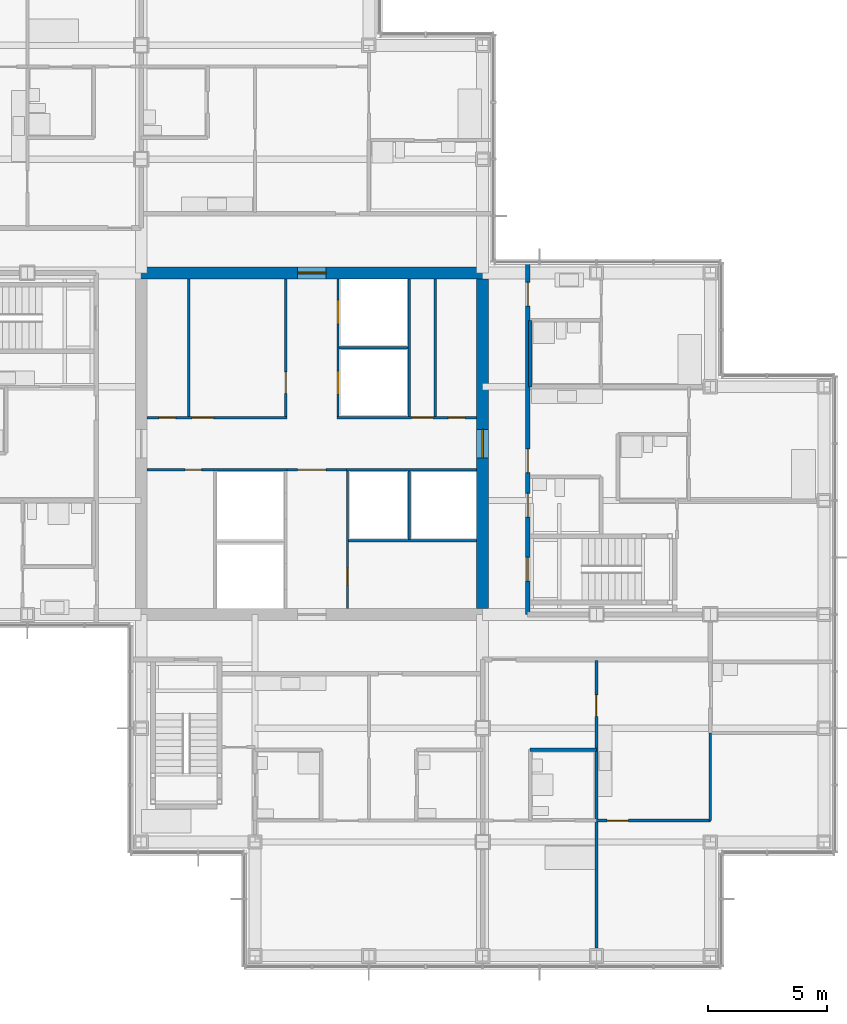
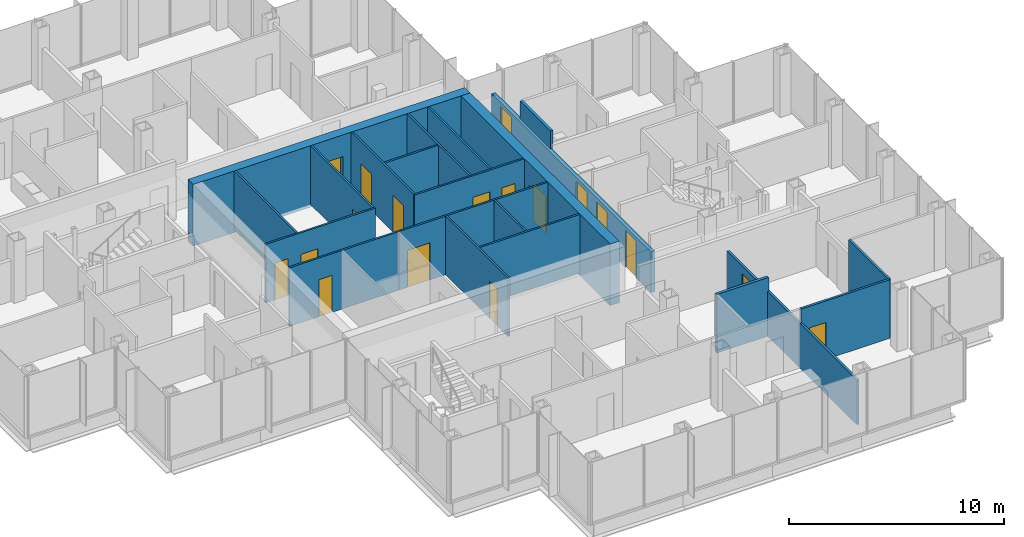
# One storey, part 14 of 19: 23 walls, 18 doors, 18 openings.
"""IFC4 building model written with IfcOpenShell, lengths in metres."""

from ifc_helpers import new_model, si_unit, direction, frame, frame_2d, origin, place, context, subcontext, project, spatial, rectangle, extrude, material, layer, layer_set, type_object, element, fill, save


model = new_model("IFC4")

# Units and contexts
model_context = context("Model", 3, precision=1e-05, world=origin(), true_north=direction((0.0, 1.0)))
body_context = subcontext(model_context, "Body", "Model", "MODEL_VIEW")
ifc_project = project(units=[si_unit("LENGTHUNIT", "METRE"), si_unit("AREAUNIT", "SQUARE_METRE"), si_unit("VOLUMEUNIT", "CUBIC_METRE"), si_unit("PLANEANGLEUNIT", "RADIAN"), si_unit("MASSUNIT", "GRAM", prefix="KILO")], contexts=[model_context])

# Site, building, storey
site_placement = place(None, origin())
site = spatial("IfcSite", under=ifc_project, at=site_placement, CompositionType="ELEMENT")
building_placement = place(site_placement, origin())
building = spatial("IfcBuilding", under=site, at=building_placement, Name="Kvirike Care Tower", CompositionType="ELEMENT")
storey_placement = place(building_placement, frame((0.0, 0.0, 129.5)))
storey = spatial("IfcBuildingStorey", under=building, at=storey_placement, Name="L35", CompositionType="ELEMENT", Elevation=129.5)

# Walls
ifc_material_1 = material(Name="Moisture-resistant board partition", Category="gypsum")
ifc_layer_1 = layer(ifc_material_1, 0.14990234375)
ifc_layer_set_1 = layer_set([ifc_layer_1], Name="BATHROOM WALL 150")
wall_type_1 = type_object("IfcWallType", Name="BATHROOM WALL 150", PredefinedType="PARTITIONING", material=ifc_layer_set_1)
for number, where, z_axis, x_axis, name in (
    (1, (30.800048828125, 23.10009765625, 0.0), (0.0, 0.0, 1.0), (1.0, 0.0, 0.0), "Bathroom Wall 150 L35"),
    (2, (30.800048828125, 38.39990234375, 0.0), (0.0, 0.0, 1.0), (0.0, 1.0, 0.0), "Bathroom Wall 150 L35"),
):
    element("IfcWall", number, at=place(storey_placement, frame(where, z_axis=z_axis, x_axis=x_axis)), inside=storey, type_object=wall_type_1, Name=name, PredefinedType="PARTITIONING", context=body_context, shape_type="SweptSolid", body=[
        extrude(rectangle(XDim=2.800048828125, YDim=0.14990234375, at=frame_2d((1.39990234375, 0.0))), origin(), (0.0, 0.0, 1.0), 3.330078125),
    ])

# Wall, opening, door
ifc_material_2 = material(Name="Concrete C50/60", Category="concrete")
ifc_layer_2 = layer(ifc_material_2, 0.5)
ifc_layer_set_2 = layer_set([ifc_layer_2], Name="CORE WALL 500 C50-60")
wall_type_2 = type_object("IfcWallType", Name="CORE WALL 500 C50-60", PredefinedType="SHEAR", material=ifc_layer_set_2)
wall_1_placement = place(storey_placement, frame((29.050048828125, 43.199951171875, -0.169921875), z_axis=(0.0, 0.0, 1.0), x_axis=(-1.0, 0.0, 0.0)))
wall_1 = element("IfcWall", 3, at=wall_1_placement, inside=storey, type_object=wall_type_2, Name="Core wall N L35", PredefinedType="SHEAR", context=body_context, shape_type="SweptSolid", body=[
    extrude(rectangle(XDim=14.900146484375, YDim=0.5, at=frame_2d((7.4501953125, 0.0))), origin(), (0.0, 0.0, 1.0), 3.5),
])
opening_1_placement = place(wall_1_placement, frame((6.85009765625, 0.0, 0.169921875)))
opening_1 = element("IfcOpeningElement", 4, at=opening_1_placement, cuts=wall_1, Name="Opening 35-059", PredefinedType="OPENING", context=body_context, shape_type="SweptSolid", body=[
    extrude(rectangle(XDim=1.199951171875, YDim=2.10009765625, at=frame_2d((0.60009765625, 1.050048828125))), frame((0.0, 0.260498046875, 0.0), z_axis=(0.0, -1.0, 0.0), x_axis=(1.0, 0.0, 0.0)), (0.0, 0.0, 1.0), 0.52099609375),
])
ifc_material_3 = material(Name="Timber door set", Category="wood")
door_type_1 = type_object("IfcDoorType", Name="CORE DOOR 1200", OperationType="SINGLE_SWING_LEFT", PredefinedType="DOOR", material=ifc_material_3)
door_1_placement = place(opening_1_placement, origin())
door_1 = element("IfcDoor", 5, at=door_1_placement, inside=storey, type_object=door_type_1, Name="Core door N L35", OperationType="SINGLE_SWING_LEFT", OverallHeight=2.10009765625, OverallWidth=1.199951171875, PredefinedType="DOOR", context=body_context, shape_type="SweptSolid", body=[
    extrude(rectangle(XDim=1.199951171875, YDim=2.10009765625, at=frame_2d((0.60009765625, 1.050048828125))), frame((0.0, 0.02685546875, 0.0), z_axis=(0.0, -1.0, 0.0), x_axis=(1.0, 0.0, 0.0)), (0.0, 0.0, 1.0), 0.053955078125),
])
fill(opening_1, door_1)

wall_2_placement = place(storey_placement, frame((28.800048828125, 29.050048828125, -0.169921875), z_axis=(0.0, 0.0, 1.0), x_axis=(0.0, 1.0, 0.0)))
wall_2 = element("IfcWall", 6, at=wall_2_placement, inside=storey, type_object=wall_type_2, Name="Core wall E L35", PredefinedType="SHEAR", context=body_context, shape_type="SweptSolid", body=[
    extrude(rectangle(XDim=13.89990234375, YDim=0.5, at=frame_2d((6.949951171875, 0.0))), origin(), (0.0, 0.0, 1.0), 3.5),
])
opening_2_placement = place(wall_2_placement, frame((6.35009765625, 0.0, 0.169921875)))
opening_2 = element("IfcOpeningElement", 7, at=opening_2_placement, cuts=wall_2, Name="Opening 35-058", PredefinedType="OPENING", context=body_context, shape_type="SweptSolid", body=[
    extrude(rectangle(XDim=1.199951171875, YDim=2.10009765625, at=frame_2d((0.60009765625, 1.050048828125))), frame((0.0, 0.260498046875, 0.0), z_axis=(0.0, -1.0, 0.0), x_axis=(1.0, 0.0, 0.0)), (0.0, 0.0, 1.0), 0.52099609375),
])
door_2_placement = place(opening_2_placement, origin())
door_2 = element("IfcDoor", 8, at=door_2_placement, inside=storey, type_object=door_type_1, Name="Core door E L35", OperationType="SINGLE_SWING_LEFT", OverallHeight=2.10009765625, OverallWidth=1.199951171875, PredefinedType="DOOR", context=body_context, shape_type="SweptSolid", body=[
    extrude(rectangle(XDim=1.199951171875, YDim=2.10009765625, at=frame_2d((0.60009765625, 1.050048828125))), frame((0.0, 0.02685546875, 0.0), z_axis=(0.0, -1.0, 0.0), x_axis=(1.0, 0.0, 0.0)), (0.0, 0.0, 1.0), 0.053955078125),
])
fill(opening_2, door_2)

# Wall, openings, doors
ifc_material_4 = material(Name="Plasterboard corridor wall", Category="gypsum")
ifc_layer_3 = layer(ifc_material_4, 0.199951171875)
ifc_layer_set_3 = layer_set([ifc_layer_3], Name="CORRIDOR WALL 200")
wall_type_3 = type_object("IfcWallType", Name="CORRIDOR WALL 200", PredefinedType="PARTITIONING", material=ifc_layer_set_3)
wall_3_placement = place(storey_placement, frame((30.699951171875, 28.800048828125, 0.0), z_axis=(0.0, 0.0, 1.0), x_axis=(0.0, 1.0, 0.0)))
wall_3 = element("IfcWall", 9, at=wall_3_placement, inside=storey, type_object=wall_type_3, Name="Corridor Wall 200 L35", PredefinedType="PARTITIONING", context=body_context, shape_type="SweptSolid", body=[
    extrude(rectangle(XDim=14.83984375, YDim=0.199951171875, at=frame_2d((7.419921875, 0.0))), origin(), (0.0, 0.0, 1.0), 2.320068359375),
])
opening_3_placement = place(wall_3_placement, frame((1.39990234375, 0.0, 0.0)))
opening_3 = element("IfcOpeningElement", 10, at=opening_3_placement, cuts=wall_3, Name="Opening 35-040", PredefinedType="OPENING", context=body_context, shape_type="SweptSolid", body=[
    extrude(rectangle(XDim=1.0, YDim=2.10009765625, at=frame_2d((0.5, 1.050048828125))), frame((0.0, 0.110595703125, 0.0), z_axis=(0.0, -1.0, 0.0), x_axis=(1.0, 0.0, 0.0)), (0.0, 0.0, 1.0), 0.220947265625),
])
opening_4_placement = place(wall_3_placement, frame((4.10009765625, 0.0, 0.0)))
opening_4 = element("IfcOpeningElement", 11, at=opening_4_placement, cuts=wall_3, Name="Opening 35-041", PredefinedType="OPENING", context=body_context, shape_type="SweptSolid", body=[
    extrude(rectangle(XDim=1.0, YDim=2.10009765625, at=frame_2d((0.5, 1.050048828125))), frame((0.0, 0.110595703125, 0.0), z_axis=(0.0, -1.0, 0.0), x_axis=(1.0, 0.0, 0.0)), (0.0, 0.0, 1.0), 0.220947265625),
])
opening_5_placement = place(wall_3_placement, frame((5.97509765625, 0.0, 0.0)))
opening_5 = element("IfcOpeningElement", 12, at=opening_5_placement, cuts=wall_3, Name="Opening 35-042", PredefinedType="OPENING", context=body_context, shape_type="SweptSolid", body=[
    extrude(rectangle(XDim=1.0, YDim=2.10009765625, at=frame_2d((0.5, 1.050048828125))), frame((0.0, 0.110595703125, 0.0), z_axis=(0.0, -1.0, 0.0), x_axis=(1.0, 0.0, 0.0)), (0.0, 0.0, 1.0), 0.220947265625),
])
opening_6_placement = place(wall_3_placement, frame((13.0, 0.0, 0.0)))
opening_6 = element("IfcOpeningElement", 13, at=opening_6_placement, cuts=wall_3, Name="Opening 35-043", PredefinedType="OPENING", context=body_context, shape_type="SweptSolid", body=[
    extrude(rectangle(XDim=1.0, YDim=2.10009765625, at=frame_2d((0.5, 1.050048828125))), frame((0.0, 0.110595703125, 0.0), z_axis=(0.0, -1.0, 0.0), x_axis=(1.0, 0.0, 0.0)), (0.0, 0.0, 1.0), 0.220947265625),
])
ifc_material_5 = material(Name="Timber door set", Category="wood")
door_type_2 = type_object("IfcDoorType", Name="FLAT ENTRANCE DOOR 1000", OperationType="SINGLE_SWING_LEFT", PredefinedType="DOOR", material=ifc_material_5)
door_3_placement = place(opening_5_placement, frame((1.0, 0.0, 0.0), z_axis=(0.0, 0.0, 1.0), x_axis=(-1.0, 0.0, 0.0)))
door_3 = element("IfcDoor", 14, at=door_3_placement, inside=storey, type_object=door_type_2, Name="Assisted living suite entrance", OperationType="SINGLE_SWING_LEFT", OverallHeight=2.10009765625, OverallWidth=1.0, PredefinedType="DOOR", context=body_context, shape_type="SweptSolid", body=[
    extrude(rectangle(XDim=1.0, YDim=2.10009765625, at=frame_2d((0.5, 1.050048828125))), frame((0.0, 0.02685546875, 0.0), z_axis=(0.0, -1.0, 0.0), x_axis=(1.0, 0.0, 0.0)), (0.0, 0.0, 1.0), 0.053955078125),
])
fill(opening_5, door_3)
door_4_placement = place(opening_6_placement, frame((1.0, 0.0, 0.0), z_axis=(0.0, 0.0, 1.0), x_axis=(-1.0, 0.0, 0.0)))
door_4 = element("IfcDoor", 15, at=door_4_placement, inside=storey, type_object=door_type_2, Name="Assisted living suite entrance", OperationType="SINGLE_SWING_RIGHT", OverallHeight=2.10009765625, OverallWidth=1.0, PredefinedType="DOOR", context=body_context, shape_type="SweptSolid", body=[
    extrude(rectangle(XDim=1.0, YDim=2.10009765625, at=frame_2d((0.5, 1.050048828125))), frame((0.0, 0.02685546875, 0.0), z_axis=(0.0, -1.0, 0.0), x_axis=(1.0, 0.0, 0.0)), (0.0, 0.0, 1.0), 0.053955078125),
])
fill(opening_6, door_4)
ifc_material_6 = material(Name="Timber door set", Category="wood")
door_type_3 = type_object("IfcDoorType", Name="STAIR DOOR 1000", OperationType="SINGLE_SWING_LEFT", PredefinedType="DOOR", material=ifc_material_6)
door_5_placement = place(opening_3_placement, frame((1.0, 0.0, 0.0), z_axis=(0.0, 0.0, 1.0), x_axis=(-1.0, 0.0, 0.0)))
door_5 = element("IfcDoor", 16, at=door_5_placement, inside=storey, type_object=door_type_3, Name="Stair 2 door", OperationType="SINGLE_SWING_LEFT", OverallHeight=2.10009765625, OverallWidth=1.0, PredefinedType="DOOR", context=body_context, shape_type="SweptSolid", body=[
    extrude(rectangle(XDim=1.0, YDim=2.10009765625, at=frame_2d((0.5, 1.050048828125))), frame((0.0, 0.031982421875, 0.0), z_axis=(0.0, -1.0, 0.0), x_axis=(1.0, 0.0, 0.0)), (0.0, 0.0, 1.0), 0.06396484375),
])
fill(opening_3, door_5)
ifc_material_7 = material(Name="Timber door set", Category="wood")
door_type_4 = type_object("IfcDoorType", Name="WC DOOR 1000", OperationType="SINGLE_SWING_LEFT", PredefinedType="DOOR", material=ifc_material_7)
door_6_placement = place(opening_4_placement, frame((1.0, 0.0, 0.0), z_axis=(0.0, 0.0, 1.0), x_axis=(-1.0, 0.0, 0.0)))
door_6 = element("IfcDoor", 17, at=door_6_placement, inside=storey, type_object=door_type_4, Name="Accessible WC door", OperationType="SINGLE_SWING_LEFT", OverallHeight=2.10009765625, OverallWidth=1.0, PredefinedType="DOOR", context=body_context, shape_type="SweptSolid", body=[
    extrude(rectangle(XDim=1.0, YDim=2.10009765625, at=frame_2d((0.5, 1.050048828125))), frame((0.0, 0.02685546875, 0.0), z_axis=(0.0, -1.0, 0.0), x_axis=(1.0, 0.0, 0.0)), (0.0, 0.0, 1.0), 0.053955078125),
])
fill(opening_4, door_6)

# Wall, opening, door
ifc_material_8 = material(Name="Plasterboard partition", Category="gypsum")
ifc_layer_4 = layer(ifc_material_8, 0.1201171875)
ifc_layer_set_4 = layer_set([ifc_layer_4], Name="PARTITION 120")
wall_type_4 = type_object("IfcWallType", Name="PARTITION 120", PredefinedType="PARTITIONING", material=ifc_layer_set_4)
wall_4_placement = place(storey_placement, frame((33.60009765625, 20.10009765625, 0.0), z_axis=(0.0, 0.0, 1.0), x_axis=(0.0, 1.0, 0.0)))
wall_4 = element("IfcWall", 18, at=wall_4_placement, inside=storey, type_object=wall_type_4, Name="Partition 120 L35", PredefinedType="PARTITIONING", context=body_context, shape_type="SweptSolid", body=[
    extrude(rectangle(XDim=6.75, YDim=0.1201171875, at=frame_2d((3.375, 0.0))), origin(), (0.0, 0.0, 1.0), 2.550048828125),
])
opening_7_placement = place(wall_4_placement, frame((4.39990234375, 0.0, 0.0)))
opening_7 = element("IfcOpeningElement", 19, at=opening_7_placement, cuts=wall_4, Name="Opening 35-030", PredefinedType="OPENING", context=body_context, shape_type="SweptSolid", body=[
    extrude(rectangle(XDim=0.89990234375, YDim=2.10009765625, at=frame_2d((0.449951171875, 1.050048828125))), frame((0.0, 0.070556640625, 0.0), z_axis=(0.0, -1.0, 0.0), x_axis=(1.0, 0.0, 0.0)), (0.0, 0.0, 1.0), 0.14111328125),
])
ifc_material_9 = material(Name="Timber door set", Category="wood")
door_type_5 = type_object("IfcDoorType", Name="INTERNAL DOOR 900", OperationType="SINGLE_SWING_LEFT", PredefinedType="DOOR", material=ifc_material_9)
door_7_placement = place(opening_7_placement, origin())
door_7 = element("IfcDoor", 20, at=door_7_placement, inside=storey, type_object=door_type_5, Name="Hall door", OperationType="SINGLE_SWING_RIGHT", OverallHeight=2.10009765625, OverallWidth=0.89990234375, PredefinedType="DOOR", context=body_context, shape_type="SweptSolid", body=[
    extrude(rectangle(XDim=0.89990234375, YDim=2.10009765625, at=frame_2d((0.449951171875, 1.050048828125))), frame((0.0, 0.02197265625, 0.0), z_axis=(0.0, -1.0, 0.0), x_axis=(1.0, 0.0, 0.0)), (0.0, 0.0, 1.0), 0.0439453125),
])
fill(opening_7, door_7)

wall_5_placement = place(storey_placement, frame((33.60009765625, 20.10009765625, 0.0), z_axis=(0.0, 0.0, 1.0), x_axis=(1.0, 0.0, 0.0)))
wall_5 = element("IfcWall", 21, at=wall_5_placement, inside=storey, type_object=wall_type_4, Name="Partition 120 L35", PredefinedType="PARTITIONING", context=body_context, shape_type="SweptSolid", body=[
    extrude(rectangle(XDim=4.7998046875, YDim=0.1201171875, at=frame_2d((2.39990234375, 0.0))), origin(), (0.0, 0.0, 1.0), 3.330078125),
])
opening_8_placement = place(wall_5_placement, frame((0.449951171875, 0.0, 0.0)))
opening_8 = element("IfcOpeningElement", 22, at=opening_8_placement, cuts=wall_5, Name="Opening 35-033", PredefinedType="OPENING", context=body_context, shape_type="SweptSolid", body=[
    extrude(rectangle(XDim=0.89990234375, YDim=2.10009765625, at=frame_2d((0.449951171875, 1.050048828125))), frame((0.0, 0.070556640625, 0.0), z_axis=(0.0, -1.0, 0.0), x_axis=(1.0, 0.0, 0.0)), (0.0, 0.0, 1.0), 0.14111328125),
])
door_8_placement = place(opening_8_placement, origin())
door_8 = element("IfcDoor", 23, at=door_8_placement, inside=storey, type_object=door_type_5, Name="Suite sitting room door", OperationType="SINGLE_SWING_RIGHT", OverallHeight=2.10009765625, OverallWidth=0.89990234375, PredefinedType="DOOR", context=body_context, shape_type="SweptSolid", body=[
    extrude(rectangle(XDim=0.89990234375, YDim=2.10009765625, at=frame_2d((0.449951171875, 1.050048828125))), frame((0.0, 0.02197265625, 0.0), z_axis=(0.0, -1.0, 0.0), x_axis=(1.0, 0.0, 0.0)), (0.0, 0.0, 1.0), 0.0439453125),
])
fill(opening_8, door_8)

# Walls
wall_6_placement = place(storey_placement, frame((33.60009765625, 14.719970703125, 0.0), z_axis=(0.0, 0.0, 1.0), x_axis=(0.0, 1.0, 0.0)))
element("IfcWall", 24, at=wall_6_placement, inside=storey, type_object=wall_type_4, Name="Partition 120 L35", PredefinedType="PARTITIONING", context=body_context, shape_type="SweptSolid", body=[
    extrude(rectangle(XDim=5.380126953125, YDim=0.1201171875, at=frame_2d((2.68994140625, 0.0))), origin(), (0.0, 0.0, 1.0), 2.550048828125),
])
wall_7_placement = place(storey_placement, frame((38.39990234375, 20.10009765625, 0.0), z_axis=(0.0, 0.0, 1.0), x_axis=(0.0, 1.0, 0.0)))
element("IfcWall", 25, at=wall_7_placement, inside=storey, type_object=wall_type_4, Name="Partition 120 L35", PredefinedType="PARTITIONING", context=body_context, shape_type="SweptSolid", body=[
    extrude(rectangle(XDim=3.699951171875, YDim=0.1201171875, at=frame_2d((1.85009765625, 0.0))), origin(), (0.0, 0.0, 1.0), 3.330078125),
])
ifc_material_10 = material(Name="Gypsum shaft wall system", Category="gypsum")
ifc_layer_5 = layer(ifc_material_10, 0.10009765625)
ifc_layer_set_5 = layer_set([ifc_layer_5], Name="SHAFT WALL 100")
wall_type_5 = type_object("IfcWallType", Name="SHAFT WALL 100", PredefinedType="SOLIDWALL", material=ifc_layer_set_5)
for number, where, z_axis, x_axis, name in (
    (26, (16.39990234375, 37.14990234375, 0.0), (0.0, 0.0, 1.0), (0.0, 1.0, 0.0), "Shaft Wall 100 L35"),
    (27, (26.800048828125, 37.14990234375, 0.0), (0.0, 0.0, 1.0), (0.0, 1.0, 0.0), "Shaft Wall 100 L35"),
):
    element("IfcWall", number, at=place(storey_placement, frame(where, z_axis=z_axis, x_axis=x_axis)), inside=storey, type_object=wall_type_5, Name=name, PredefinedType="SOLIDWALL", context=body_context, shape_type="SweptSolid", body=[
        extrude(rectangle(XDim=5.800048828125, YDim=0.10009765625, at=frame_2d((2.89990234375, 0.0))), origin(), (0.0, 0.0, 1.0), 3.330078125),
    ])

# Wall, opening, door
wall_8_placement = place(storey_placement, frame((20.5, 37.14990234375, 0.0), z_axis=(0.0, 0.0, 1.0), x_axis=(0.0, 1.0, 0.0)))
wall_8 = element("IfcWall", 28, at=wall_8_placement, inside=storey, type_object=wall_type_5, Name="Shaft Wall 100 L35", PredefinedType="SOLIDWALL", context=body_context, shape_type="SweptSolid", body=[
    extrude(rectangle(XDim=5.800048828125, YDim=0.10009765625, at=frame_2d((2.89990234375, 0.0))), origin(), (0.0, 0.0, 1.0), 3.330078125),
])
opening_9_placement = place(wall_8_placement, frame((0.97509765625, 0.0, 0.0)))
opening_9 = element("IfcOpeningElement", 29, at=opening_9_placement, cuts=wall_8, Name="Opening 35-046", PredefinedType="OPENING", context=body_context, shape_type="SweptSolid", body=[
    extrude(rectangle(XDim=0.89990234375, YDim=2.10009765625, at=frame_2d((0.449951171875, 1.050048828125))), frame((0.0, 0.060546875, 0.0), z_axis=(0.0, -1.0, 0.0), x_axis=(1.0, 0.0, 0.0)), (0.0, 0.0, 1.0), 0.12109375),
])
ifc_material_11 = material(Name="Timber door set", Category="wood")
door_type_6 = type_object("IfcDoorType", Name="STORE DOOR 900", OperationType="SINGLE_SWING_LEFT", PredefinedType="DOOR", material=ifc_material_11)
door_9_placement = place(opening_9_placement, origin())
door_9 = element("IfcDoor", 30, at=door_9_placement, inside=storey, type_object=door_type_6, Name="Housekeeping office door", OperationType="SINGLE_SWING_RIGHT", OverallHeight=2.10009765625, OverallWidth=0.89990234375, PredefinedType="DOOR", context=body_context, shape_type="SweptSolid", body=[
    extrude(rectangle(XDim=0.89990234375, YDim=2.10009765625, at=frame_2d((0.449951171875, 1.050048828125))), frame((0.0, 0.02685546875, 0.0), z_axis=(0.0, -1.0, 0.0), x_axis=(1.0, 0.0, 0.0)), (0.0, 0.0, 1.0), 0.053955078125),
])
fill(opening_9, door_9)

# Wall, openings, doors
wall_9_placement = place(storey_placement, frame((22.699951171875, 37.14990234375, 0.0), z_axis=(0.0, 0.0, 1.0), x_axis=(0.0, 1.0, 0.0)))
wall_9 = element("IfcWall", 31, at=wall_9_placement, inside=storey, type_object=wall_type_5, Name="Shaft Wall 100 L35", PredefinedType="SOLIDWALL", context=body_context, shape_type="SweptSolid", body=[
    extrude(rectangle(XDim=5.800048828125, YDim=0.10009765625, at=frame_2d((2.89990234375, 0.0))), origin(), (0.0, 0.0, 1.0), 3.330078125),
])
opening_10_placement = place(wall_9_placement, frame((0.925048828125, 0.0, 0.0)))
opening_10 = element("IfcOpeningElement", 32, at=opening_10_placement, cuts=wall_9, Name="Opening 35-047", PredefinedType="OPENING", context=body_context, shape_type="SweptSolid", body=[
    extrude(rectangle(XDim=1.0, YDim=2.10009765625, at=frame_2d((0.5, 1.050048828125))), frame((0.0, 0.060546875, 0.0), z_axis=(0.0, -1.0, 0.0), x_axis=(1.0, 0.0, 0.0)), (0.0, 0.0, 1.0), 0.12109375),
])
opening_11_placement = place(wall_9_placement, frame((3.89990234375, 0.0, 0.0)))
opening_11 = element("IfcOpeningElement", 33, at=opening_11_placement, cuts=wall_9, Name="Opening 35-048", PredefinedType="OPENING", context=body_context, shape_type="SweptSolid", body=[
    extrude(rectangle(XDim=1.0, YDim=2.10009765625, at=frame_2d((0.5, 1.050048828125))), frame((0.0, 0.060546875, 0.0), z_axis=(0.0, -1.0, 0.0), x_axis=(1.0, 0.0, 0.0)), (0.0, 0.0, 1.0), 0.12109375),
])
ifc_material_12 = material(Name="Aluminium door frame", Category="aluminium")
door_type_7 = type_object("IfcDoorType", Name="LIFT LANDING DOOR 1000", OperationType="SLIDING_TO_LEFT", PredefinedType="DOOR", material=ifc_material_12)
door_10_placement = place(opening_10_placement, origin())
door_10 = element("IfcDoor", 34, at=door_10_placement, inside=storey, type_object=door_type_7, Name="Lift P3 landing door", OperationType="SLIDING_TO_LEFT", OverallHeight=2.10009765625, OverallWidth=1.0, PredefinedType="DOOR", context=body_context, shape_type="SweptSolid", body=[
    extrude(rectangle(XDim=1.0, YDim=2.10009765625, at=frame_2d((0.5, 1.050048828125))), frame((0.0, 0.0498046875, 0.0), z_axis=(0.0, -1.0, 0.0), x_axis=(1.0, 0.0, 0.0)), (0.0, 0.0, 1.0), 0.099609375),
])
fill(opening_10, door_10)
door_11_placement = place(opening_11_placement, origin())
door_11 = element("IfcDoor", 35, at=door_11_placement, inside=storey, type_object=door_type_7, Name="Lift P4 landing door", OperationType="SLIDING_TO_LEFT", OverallHeight=2.10009765625, OverallWidth=1.0, PredefinedType="DOOR", context=body_context, shape_type="SweptSolid", body=[
    extrude(rectangle(XDim=1.0, YDim=2.10009765625, at=frame_2d((0.5, 1.050048828125))), frame((0.0, 0.0498046875, 0.0), z_axis=(0.0, -1.0, 0.0), x_axis=(1.0, 0.0, 0.0)), (0.0, 0.0, 1.0), 0.099609375),
])
fill(opening_11, door_11)

# Wall, opening, door
wall_10_placement = place(storey_placement, frame((23.10009765625, 29.050048828125, 0.0), z_axis=(0.0, 0.0, 1.0), x_axis=(0.0, 1.0, 0.0)))
wall_10 = element("IfcWall", 36, at=wall_10_placement, inside=storey, type_object=wall_type_5, Name="Shaft Wall 100 L35", PredefinedType="SOLIDWALL", context=body_context, shape_type="SweptSolid", body=[
    extrude(rectangle(XDim=5.800048828125, YDim=0.10009765625, at=frame_2d((2.89990234375, 0.0))), origin(), (0.0, 0.0, 1.0), 3.330078125),
])
opening_12_placement = place(wall_10_placement, frame((1.0, 0.0, 0.0)))
opening_12 = element("IfcOpeningElement", 37, at=opening_12_placement, cuts=wall_10, Name="Opening 35-049", PredefinedType="OPENING", context=body_context, shape_type="SweptSolid", body=[
    extrude(rectangle(XDim=0.699951171875, YDim=2.10009765625, at=frame_2d((0.35009765625, 1.050048828125))), frame((0.0, 0.060546875, 0.0), z_axis=(0.0, -1.0, 0.0), x_axis=(1.0, 0.0, 0.0)), (0.0, 0.0, 1.0), 0.12109375),
])
ifc_material_13 = material(Name="Timber door set", Category="wood")
door_type_8 = type_object("IfcDoorType", Name="RISER DOOR 700", OperationType="SINGLE_SWING_LEFT", PredefinedType="DOOR", material=ifc_material_13)
door_12_placement = place(opening_12_placement, origin())
door_12 = element("IfcDoor", 38, at=door_12_placement, inside=storey, type_object=door_type_8, Name="Riser door", OperationType="SINGLE_SWING_RIGHT", OverallHeight=2.10009765625, OverallWidth=0.699951171875, PredefinedType="DOOR", context=body_context, shape_type="SweptSolid", body=[
    extrude(rectangle(XDim=0.699951171875, YDim=2.10009765625, at=frame_2d((0.35009765625, 1.050048828125))), frame((0.0, 0.02685546875, 0.0), z_axis=(0.0, -1.0, 0.0), x_axis=(1.0, 0.0, 0.0)), (0.0, 0.0, 1.0), 0.053955078125),
])
fill(opening_12, door_12)

wall_11_placement = place(storey_placement, frame((14.64990234375, 34.89990234375, 0.0), z_axis=(0.0, 0.0, 1.0), x_axis=(1.0, 0.0, 0.0)))
wall_11 = element("IfcWall", 39, at=wall_11_placement, inside=storey, type_object=wall_type_5, Name="Shaft Wall 100 L35", PredefinedType="SOLIDWALL", context=body_context, shape_type="SweptSolid", body=[
    extrude(rectangle(XDim=5.900146484375, YDim=0.10009765625, at=frame_2d((2.9501953125, 0.0))), origin(), (0.0, 0.0, 1.0), 3.330078125),
])
opening_13_placement = place(wall_11_placement, frame((1.60009765625, 0.0, 0.0)))
opening_13 = element("IfcOpeningElement", 40, at=opening_13_placement, cuts=wall_11, Name="Opening 35-050", PredefinedType="OPENING", context=body_context, shape_type="SweptSolid", body=[
    extrude(rectangle(XDim=0.699951171875, YDim=2.10009765625, at=frame_2d((0.35009765625, 1.050048828125))), frame((0.0, 0.060546875, 0.0), z_axis=(0.0, -1.0, 0.0), x_axis=(1.0, 0.0, 0.0)), (0.0, 0.0, 1.0), 0.12109375),
])
door_13_placement = place(opening_13_placement, frame((0.699951171875, 0.0, 0.0), z_axis=(0.0, 0.0, 1.0), x_axis=(-1.0, 0.0, 0.0)))
door_13 = element("IfcDoor", 41, at=door_13_placement, inside=storey, type_object=door_type_8, Name="Riser door", OperationType="SINGLE_SWING_RIGHT", OverallHeight=2.10009765625, OverallWidth=0.699951171875, PredefinedType="DOOR", context=body_context, shape_type="SweptSolid", body=[
    extrude(rectangle(XDim=0.699951171875, YDim=2.10009765625, at=frame_2d((0.35009765625, 1.050048828125))), frame((0.0, 0.02685546875, 0.0), z_axis=(0.0, -1.0, 0.0), x_axis=(1.0, 0.0, 0.0)), (0.0, 0.0, 1.0), 0.053955078125),
])
fill(opening_13, door_13)

# Wall
wall_12_placement = place(storey_placement, frame((23.050048828125, 34.89990234375, 0.0), z_axis=(0.0, 0.0, 1.0), x_axis=(1.0, 0.0, 0.0)))
element("IfcWall", 42, at=wall_12_placement, inside=storey, type_object=wall_type_5, Name="Shaft Wall 100 L35", PredefinedType="SOLIDWALL", context=body_context, shape_type="SweptSolid", body=[
    extrude(rectangle(XDim=5.5, YDim=0.10009765625, at=frame_2d((2.75, 0.0))), origin(), (0.0, 0.0, 1.0), 3.330078125),
])

# Wall, openings, doors
wall_13_placement = place(storey_placement, frame((14.64990234375, 37.10009765625, 0.0), z_axis=(0.0, 0.0, 1.0), x_axis=(1.0, 0.0, 0.0)))
wall_13 = element("IfcWall", 43, at=wall_13_placement, inside=storey, type_object=wall_type_5, Name="Shaft Wall 100 L35", PredefinedType="SOLIDWALL", context=body_context, shape_type="SweptSolid", body=[
    extrude(rectangle(XDim=5.900146484375, YDim=0.10009765625, at=frame_2d((2.9501953125, 0.0))), origin(), (0.0, 0.0, 1.0), 3.330078125),
])
opening_14_placement = place(wall_13_placement, frame((0.5, 0.0, 0.0)))
opening_14 = element("IfcOpeningElement", 44, at=opening_14_placement, cuts=wall_13, Name="Opening 35-051", PredefinedType="OPENING", context=body_context, shape_type="SweptSolid", body=[
    extrude(rectangle(XDim=0.699951171875, YDim=2.10009765625, at=frame_2d((0.35009765625, 1.050048828125))), frame((0.0, 0.060546875, 0.0), z_axis=(0.0, -1.0, 0.0), x_axis=(1.0, 0.0, 0.0)), (0.0, 0.0, 1.0), 0.12109375),
])
opening_15_placement = place(wall_13_placement, frame((1.89990234375, 0.0, 0.0)))
opening_15 = element("IfcOpeningElement", 45, at=opening_15_placement, cuts=wall_13, Name="Opening 35-052", PredefinedType="OPENING", context=body_context, shape_type="SweptSolid", body=[
    extrude(rectangle(XDim=0.89990234375, YDim=2.10009765625, at=frame_2d((0.449951171875, 1.050048828125))), frame((0.0, 0.060546875, 0.0), z_axis=(0.0, -1.0, 0.0), x_axis=(1.0, 0.0, 0.0)), (0.0, 0.0, 1.0), 0.12109375),
])
door_14_placement = place(opening_14_placement, origin())
door_14 = element("IfcDoor", 46, at=door_14_placement, inside=storey, type_object=door_type_8, Name="Riser door", OperationType="SINGLE_SWING_RIGHT", OverallHeight=2.10009765625, OverallWidth=0.699951171875, PredefinedType="DOOR", context=body_context, shape_type="SweptSolid", body=[
    extrude(rectangle(XDim=0.699951171875, YDim=2.10009765625, at=frame_2d((0.35009765625, 1.050048828125))), frame((0.0, 0.02685546875, 0.0), z_axis=(0.0, -1.0, 0.0), x_axis=(1.0, 0.0, 0.0)), (0.0, 0.0, 1.0), 0.053955078125),
])
fill(opening_14, door_14)
door_15_placement = place(opening_15_placement, origin())
door_15 = element("IfcDoor", 47, at=door_15_placement, inside=storey, type_object=door_type_6, Name="Housekeeping office door", OperationType="SINGLE_SWING_RIGHT", OverallHeight=2.10009765625, OverallWidth=0.89990234375, PredefinedType="DOOR", context=body_context, shape_type="SweptSolid", body=[
    extrude(rectangle(XDim=0.89990234375, YDim=2.10009765625, at=frame_2d((0.449951171875, 1.050048828125))), frame((0.0, 0.02685546875, 0.0), z_axis=(0.0, -1.0, 0.0), x_axis=(1.0, 0.0, 0.0)), (0.0, 0.0, 1.0), 0.053955078125),
])
fill(opening_15, door_15)

wall_14_placement = place(storey_placement, frame((22.64990234375, 37.10009765625, 0.0), z_axis=(0.0, 0.0, 1.0), x_axis=(1.0, 0.0, 0.0)))
wall_14 = element("IfcWall", 48, at=wall_14_placement, inside=storey, type_object=wall_type_5, Name="Shaft Wall 100 L35", PredefinedType="SOLIDWALL", context=body_context, shape_type="SweptSolid", body=[
    extrude(rectangle(XDim=5.900146484375, YDim=0.10009765625, at=frame_2d((2.9501953125, 0.0))), origin(), (0.0, 0.0, 1.0), 3.330078125),
])
opening_16_placement = place(wall_14_placement, frame((3.14990234375, 0.0, 0.0)))
opening_16 = element("IfcOpeningElement", 49, at=opening_16_placement, cuts=wall_14, Name="Opening 35-053", PredefinedType="OPENING", context=body_context, shape_type="SweptSolid", body=[
    extrude(rectangle(XDim=0.89990234375, YDim=2.10009765625, at=frame_2d((0.449951171875, 1.050048828125))), frame((0.0, 0.060546875, 0.0), z_axis=(0.0, -1.0, 0.0), x_axis=(1.0, 0.0, 0.0)), (0.0, 0.0, 1.0), 0.12109375),
])
opening_17_placement = place(wall_14_placement, frame((4.699951171875, 0.0, 0.0)))
opening_17 = element("IfcOpeningElement", 50, at=opening_17_placement, cuts=wall_14, Name="Opening 35-054", PredefinedType="OPENING", context=body_context, shape_type="SweptSolid", body=[
    extrude(rectangle(XDim=0.699951171875, YDim=2.10009765625, at=frame_2d((0.35009765625, 1.050048828125))), frame((0.0, 0.060546875, 0.0), z_axis=(0.0, -1.0, 0.0), x_axis=(1.0, 0.0, 0.0)), (0.0, 0.0, 1.0), 0.12109375),
])
door_16_placement = place(opening_17_placement, origin())
door_16 = element("IfcDoor", 51, at=door_16_placement, inside=storey, type_object=door_type_8, Name="Riser door", OperationType="SINGLE_SWING_LEFT", OverallHeight=2.10009765625, OverallWidth=0.699951171875, PredefinedType="DOOR", context=body_context, shape_type="SweptSolid", body=[
    extrude(rectangle(XDim=0.699951171875, YDim=2.10009765625, at=frame_2d((0.35009765625, 1.050048828125))), frame((0.0, 0.02685546875, 0.0), z_axis=(0.0, -1.0, 0.0), x_axis=(1.0, 0.0, 0.0)), (0.0, 0.0, 1.0), 0.053955078125),
])
fill(opening_17, door_16)
door_17_placement = place(opening_16_placement, origin())
door_17 = element("IfcDoor", 52, at=door_17_placement, inside=storey, type_object=door_type_6, Name="Records store door", OperationType="SINGLE_SWING_LEFT", OverallHeight=2.10009765625, OverallWidth=0.89990234375, PredefinedType="DOOR", context=body_context, shape_type="SweptSolid", body=[
    extrude(rectangle(XDim=0.89990234375, YDim=2.10009765625, at=frame_2d((0.449951171875, 1.050048828125))), frame((0.0, 0.02685546875, 0.0), z_axis=(0.0, -1.0, 0.0), x_axis=(1.0, 0.0, 0.0)), (0.0, 0.0, 1.0), 0.053955078125),
])
fill(opening_16, door_17)

# Wall, opening, door
wall_15_placement = place(storey_placement, frame((20.550048828125, 34.89990234375, 0.0), z_axis=(0.0, 0.0, 1.0), x_axis=(1.0, 0.0, 0.0)))
wall_15 = element("IfcWall", 53, at=wall_15_placement, inside=storey, type_object=wall_type_5, Name="Shaft Wall 100 L35", PredefinedType="SOLIDWALL", context=body_context, shape_type="SweptSolid", body=[
    extrude(rectangle(XDim=2.5, YDim=0.10009765625, at=frame_2d((1.25, 0.0))), origin(), (0.0, 0.0, 1.0), 3.330078125),
])
opening_18_placement = place(wall_15_placement, frame((0.449951171875, 0.0, 0.0)))
opening_18 = element("IfcOpeningElement", 54, at=opening_18_placement, cuts=wall_15, Name="Opening 35-055", PredefinedType="OPENING", context=body_context, shape_type="SweptSolid", body=[
    extrude(rectangle(XDim=1.199951171875, YDim=2.10009765625, at=frame_2d((0.60009765625, 1.050048828125))), frame((0.0, 0.060546875, 0.0), z_axis=(0.0, -1.0, 0.0), x_axis=(1.0, 0.0, 0.0)), (0.0, 0.0, 1.0), 0.12109375),
])
door_18_placement = place(opening_18_placement, frame((1.199951171875, 0.0, 0.0), z_axis=(0.0, 0.0, 1.0), x_axis=(-1.0, 0.0, 0.0)))
door_18 = element("IfcDoor", 55, at=door_18_placement, inside=storey, type_object=door_type_1, Name="Fire-fighting lobby door", OperationType="SINGLE_SWING_LEFT", OverallHeight=2.10009765625, OverallWidth=1.199951171875, PredefinedType="DOOR", context=body_context, shape_type="SweptSolid", body=[
    extrude(rectangle(XDim=1.199951171875, YDim=2.10009765625, at=frame_2d((0.60009765625, 1.050048828125))), frame((0.0, 0.02685546875, 0.0), z_axis=(0.0, -1.0, 0.0), x_axis=(1.0, 0.0, 0.0)), (0.0, 0.0, 1.0), 0.053955078125),
])
fill(opening_18, door_18)

# Walls
wall_16_placement = place(storey_placement, frame((22.75, 40.050048828125, 0.0), z_axis=(0.0, 0.0, 1.0), x_axis=(1.0, 0.0, 0.0)))
element("IfcWall", 56, at=wall_16_placement, inside=storey, type_object=wall_type_5, Name="Shaft Wall 100 L35", PredefinedType="SOLIDWALL", context=body_context, shape_type="SweptSolid", body=[
    extrude(rectangle(XDim=2.89990234375, YDim=0.10009765625, at=frame_2d((1.449951171875, 0.0))), origin(), (0.0, 0.0, 1.0), 3.330078125),
])
wall_17_placement = place(storey_placement, frame((25.699951171875, 37.14990234375, 0.0), z_axis=(0.0, 0.0, 1.0), x_axis=(0.0, 1.0, 0.0)))
element("IfcWall", 57, at=wall_17_placement, inside=storey, type_object=wall_type_5, Name="Shaft Wall 100 L35", PredefinedType="SOLIDWALL", context=body_context, shape_type="SweptSolid", body=[
    extrude(rectangle(XDim=5.800048828125, YDim=0.10009765625, at=frame_2d((2.89990234375, 0.0))), origin(), (0.0, 0.0, 1.0), 3.330078125),
])
wall_18_placement = place(storey_placement, frame((25.699951171875, 31.949951171875, 0.0), z_axis=(0.0, 0.0, 1.0), x_axis=(0.0, 1.0, 0.0)))
element("IfcWall", 58, at=wall_18_placement, inside=storey, type_object=wall_type_5, Name="Shaft Wall 100 L35", PredefinedType="SOLIDWALL", context=body_context, shape_type="SweptSolid", body=[
    extrude(rectangle(XDim=2.900146484375, YDim=0.10009765625, at=frame_2d((1.4501953125, 0.0))), origin(), (0.0, 0.0, 1.0), 3.330078125),
])
wall_19_placement = place(storey_placement, frame((23.14990234375, 31.89990234375, 0.0), z_axis=(0.0, 0.0, 1.0), x_axis=(1.0, 0.0, 0.0)))
element("IfcWall", 59, at=wall_19_placement, inside=storey, type_object=wall_type_5, Name="Shaft Wall 100 L35", PredefinedType="SOLIDWALL", context=body_context, shape_type="SweptSolid", body=[
    extrude(rectangle(XDim=5.400146484375, YDim=0.10009765625, at=frame_2d((2.7001953125, 0.0))), origin(), (0.0, 0.0, 1.0), 3.330078125),
])

save(model, "model.ifc")
